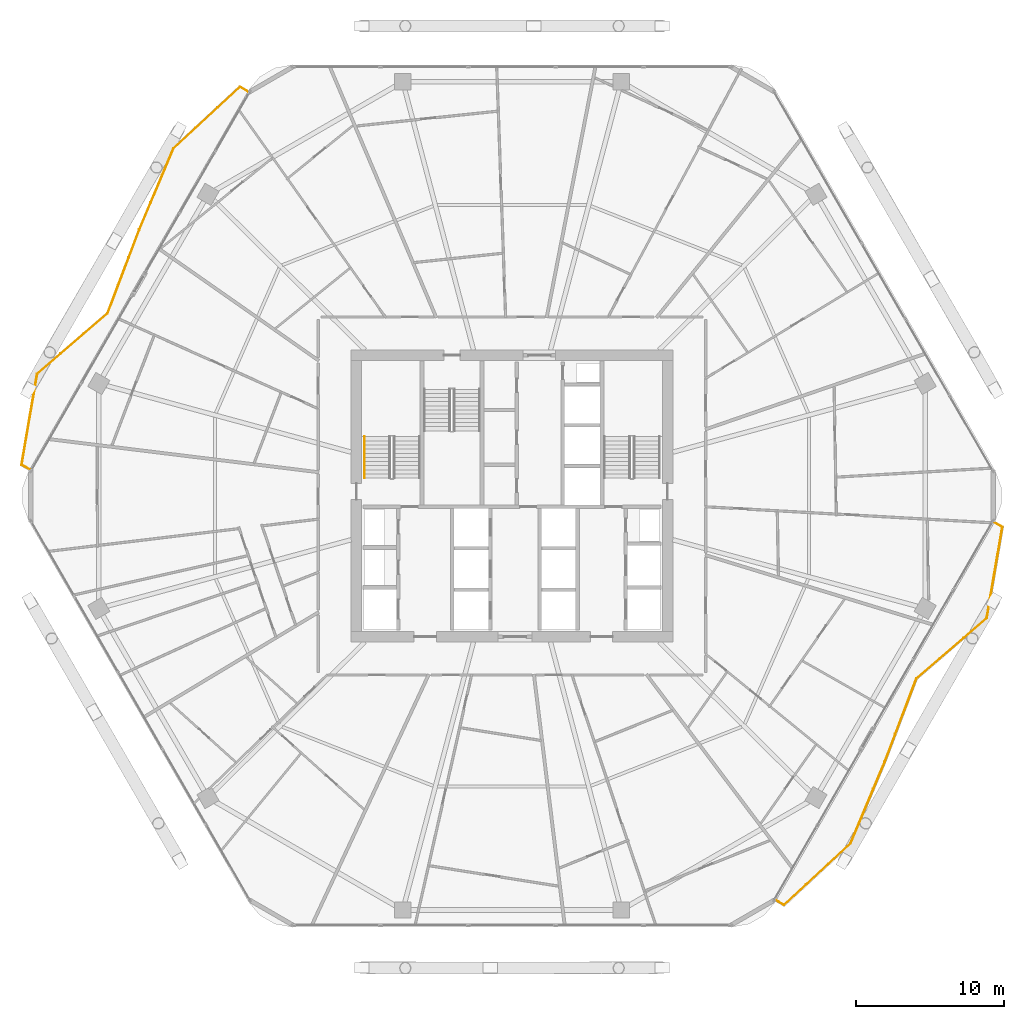
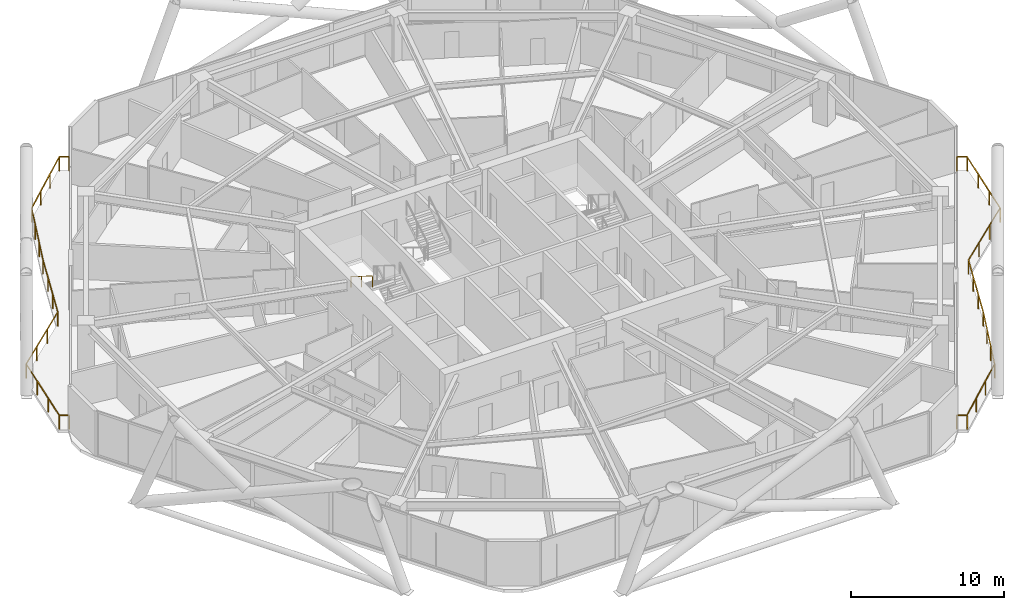
# One storey, part 35 of 36: 3 railings.
"""IFC4 building model written with IfcOpenShell, lengths in metres."""

from ifc_helpers import new_model, si_unit, direction, frame, origin, origin_2d, place, context, subcontext, project, spatial, rectangle, extrude, material, type_object, element, save


model = new_model("IFC4")

# Units and contexts
model_context = context("Model", 3, precision=1e-05, world=origin(), true_north=direction((0.0, 1.0)))
body_context = subcontext(model_context, "Body", "Model", "MODEL_VIEW")
ifc_project = project(units=[si_unit("LENGTHUNIT", "METRE"), si_unit("AREAUNIT", "SQUARE_METRE"), si_unit("VOLUMEUNIT", "CUBIC_METRE"), si_unit("PLANEANGLEUNIT", "RADIAN"), si_unit("MASSUNIT", "GRAM", prefix="KILO")], contexts=[model_context])

# Site, building, storey
site_placement = place(None, origin())
site = spatial("IfcSite", under=ifc_project, at=site_placement, CompositionType="ELEMENT")
building_placement = place(site_placement, origin())
building = spatial("IfcBuilding", under=site, at=building_placement, Name="Zuhravey Tower", CompositionType="ELEMENT")
storey_placement = place(building_placement, frame((0.0, 0.0, 107.60009765625)))
storey = spatial("IfcBuildingStorey", under=building, at=storey_placement, Name="L26", CompositionType="ELEMENT", Elevation=107.60009765625)

# Railings
ifc_material_1 = material(Name="Stainless steel 316 and laminated glass", Category="steel")
railing_type_1 = type_object("IfcRailingType", Name="Balcony & Terrace Guardrail 1150", PredefinedType="BALUSTRADE", material=ifc_material_1)
railing_1_placement = place(storey_placement, frame((3.4833984375, 33.7666015625, 0.0)))
element("IfcRailing", 1, at=railing_1_placement, inside=storey, type_object=railing_type_1, Name="L26 Face 3 Wave Balcony Guardrail GR1", PredefinedType="BALUSTRADE", context=body_context, shape_type="SweptSolid", body=[
    extrude(rectangle(XDim=0.048095703125, YDim=0.048095703125, at=origin_2d()), frame((-0.001708984375, 0.0009765625, 1.1259765625), z_axis=(-0.866015774862, 0.500016677412, 0.0), x_axis=(-0.500016677412, -0.866015774862, 0.0)), (0.0, 0.0, 1.0), 0.66650390625),
    extrude(rectangle(XDim=0.048095703125, YDim=0.048095703125, at=origin_2d()), frame((-0.580322265625, 0.337158203125, 1.1259765625), z_axis=(0.168631430654, 0.985679177317, 0.0), x_axis=(-0.985679177317, 0.168631430654, 0.0)), (0.0, 0.0, 1.0), 6.214111328125),
    extrude(rectangle(XDim=0.048095703125, YDim=0.048095703125, at=origin_2d()), frame((0.469482421875, 6.465576171875, 1.1259765625), z_axis=(0.757644223279, 0.65266777991, 0.0), x_axis=(-0.65266777991, 0.757644223279, 0.0)), (0.0, 0.0, 1.0), 6.268310546875),
    extrude(rectangle(XDim=0.048095703125, YDim=0.048095703125, at=origin_2d()), frame((5.220947265625, 10.56005859375, 1.1259765625), z_axis=(0.354801849008, 0.934941521134, 0.0), x_axis=(-0.934941521134, 0.354801849008, 0.0)), (0.0, 0.0, 1.0), 6.028564453125),
    extrude(rectangle(XDim=0.048095703125, YDim=0.048095703125, at=origin_2d()), frame((7.361328125, 16.2001953125, 1.1259765625), z_axis=(0.387725222642, 0.921775000598, 0.0), x_axis=(-0.921775000598, 0.387725222642, 0.0)), (0.0, 0.0, 1.0), 5.950927734375),
    extrude(rectangle(XDim=0.048095703125, YDim=0.048095703125, at=origin_2d()), frame((9.6708984375, 21.688720703125, 1.1259765625), z_axis=(0.733264174153, 0.679943858641, 0.0), x_axis=(-0.679943858641, 0.733264174153, 0.0)), (0.0, 0.0, 1.0), 6.108642578125),
    extrude(rectangle(XDim=0.048095703125, YDim=0.048095703125, at=origin_2d()), frame((14.1533203125, 25.842529296875, 1.1259765625), z_axis=(0.865910926182, -0.500198228624, 0.0), x_axis=(0.500198228624, 0.865910926182, 0.0)), (0.0, 0.0, 1.0), 0.662353515625),
    extrude(rectangle(XDim=0.0419921875, YDim=0.0419921875, at=origin_2d()), origin(), (0.0, 0.0, 1.0), 1.099853515625),
    extrude(rectangle(XDim=0.0419921875, YDim=0.0419921875, at=origin_2d()), frame((-0.58056640625, 0.335205078125, 0.0)), (0.0, 0.0, 1.0), 1.099853515625),
    extrude(rectangle(XDim=0.0419921875, YDim=0.0419921875, at=origin_2d()), frame((-0.23095703125, 2.378173828125, 0.0)), (0.0, 0.0, 1.0), 1.099853515625),
    extrude(rectangle(XDim=0.0419921875, YDim=0.0419921875, at=origin_2d()), frame((0.118408203125, 4.42138671875, 0.0)), (0.0, 0.0, 1.0), 1.099853515625),
    extrude(rectangle(XDim=0.0419921875, YDim=0.0419921875, at=origin_2d()), frame((0.468017578125, 6.46435546875, 0.0)), (0.0, 0.0, 1.0), 1.099853515625),
    extrude(rectangle(XDim=0.0419921875, YDim=0.0419921875, at=origin_2d()), frame((2.052001953125, 7.828857421875, 0.0)), (0.0, 0.0, 1.0), 1.099853515625),
    extrude(rectangle(XDim=0.0419921875, YDim=0.0419921875, at=origin_2d()), frame((3.63623046875, 9.193603515625, 0.0)), (0.0, 0.0, 1.0), 1.099853515625),
    extrude(rectangle(XDim=0.0419921875, YDim=0.0419921875, at=origin_2d()), frame((5.22021484375, 10.55810546875, 0.0)), (0.0, 0.0, 1.0), 1.099853515625),
    extrude(rectangle(XDim=0.0419921875, YDim=0.0419921875, at=origin_2d()), frame((5.93359375, 12.438232421875, 0.0)), (0.0, 0.0, 1.0), 1.099853515625),
    extrude(rectangle(XDim=0.0419921875, YDim=0.0419921875, at=origin_2d()), frame((6.647216796875, 14.318115234375, 0.0)), (0.0, 0.0, 1.0), 1.099853515625),
    extrude(rectangle(XDim=0.0419921875, YDim=0.0419921875, at=origin_2d()), frame((7.360595703125, 16.1982421875, 0.0)), (0.0, 0.0, 1.0), 1.099853515625),
    extrude(rectangle(XDim=0.0419921875, YDim=0.0419921875, at=origin_2d()), frame((8.130126953125, 18.02783203125, 0.0)), (0.0, 0.0, 1.0), 1.099853515625),
    extrude(rectangle(XDim=0.0419921875, YDim=0.0419921875, at=origin_2d()), frame((8.89990234375, 19.857666015625, 0.0)), (0.0, 0.0, 1.0), 1.099853515625),
    extrude(rectangle(XDim=0.0419921875, YDim=0.0419921875, at=origin_2d()), frame((9.66943359375, 21.687255859375, 0.0)), (0.0, 0.0, 1.0), 1.099853515625),
    extrude(rectangle(XDim=0.0419921875, YDim=0.0419921875, at=origin_2d()), frame((11.16357421875, 23.07275390625, 0.0)), (0.0, 0.0, 1.0), 1.099853515625),
    extrude(rectangle(XDim=0.0419921875, YDim=0.0419921875, at=origin_2d()), frame((12.657470703125, 24.4580078125, 0.0)), (0.0, 0.0, 1.0), 1.099853515625),
    extrude(rectangle(XDim=0.0419921875, YDim=0.0419921875, at=origin_2d()), frame((14.151611328125, 25.843505859375, 0.0)), (0.0, 0.0, 1.0), 1.099853515625),
    extrude(rectangle(XDim=0.0419921875, YDim=0.0419921875, at=origin_2d()), frame((14.728515625, 25.51025390625, 0.0)), (0.0, 0.0, 1.0), 1.099853515625),
])
railing_2_placement = place(storey_placement, frame((68.5166015625, 30.2333984375, 0.0)))
element("IfcRailing", 2, at=railing_2_placement, inside=storey, type_object=railing_type_1, Name="L26 Face 6 Wave Balcony Guardrail GR1", PredefinedType="BALUSTRADE", context=body_context, shape_type="SweptSolid", body=[
    extrude(rectangle(XDim=0.048095703125, YDim=0.048095703125, at=origin_2d()), frame((0.001708984375, -0.0009765625, 1.1259765625), z_axis=(0.866015774862, -0.500016677412, 0.0), x_axis=(0.500016677412, 0.866015774862, 0.0)), (0.0, 0.0, 1.0), 0.66650390625),
    extrude(rectangle(XDim=0.048095703125, YDim=0.048095703125, at=origin_2d()), frame((0.580322265625, -0.337158203125, 1.1259765625), z_axis=(-0.168631430654, -0.985679177317, 0.0), x_axis=(0.985679177317, -0.168631430654, 0.0)), (0.0, 0.0, 1.0), 6.214111328125),
    extrude(rectangle(XDim=0.048095703125, YDim=0.048095703125, at=origin_2d()), frame((-0.469482421875, -6.465576171875, 1.1259765625), z_axis=(-0.757644223279, -0.65266777991, 0.0), x_axis=(0.65266777991, -0.757644223279, 0.0)), (0.0, 0.0, 1.0), 6.268310546875),
    extrude(rectangle(XDim=0.048095703125, YDim=0.048095703125, at=origin_2d()), frame((-5.220947265625, -10.56005859375, 1.1259765625), z_axis=(-0.354801849008, -0.934941521134, 0.0), x_axis=(0.934941521134, -0.354801849008, 0.0)), (0.0, 0.0, 1.0), 6.028564453125),
    extrude(rectangle(XDim=0.048095703125, YDim=0.048095703125, at=origin_2d()), frame((-7.361328125, -16.2001953125, 1.1259765625), z_axis=(-0.387725222642, -0.921775000598, 0.0), x_axis=(0.921775000598, -0.387725222642, 0.0)), (0.0, 0.0, 1.0), 5.950927734375),
    extrude(rectangle(XDim=0.048095703125, YDim=0.048095703125, at=origin_2d()), frame((-9.6708984375, -21.688720703125, 1.1259765625), z_axis=(-0.733264174153, -0.679943858641, 0.0), x_axis=(0.679943858641, -0.733264174153, 0.0)), (0.0, 0.0, 1.0), 6.108642578125),
    extrude(rectangle(XDim=0.048095703125, YDim=0.048095703125, at=origin_2d()), frame((-14.1533203125, -25.842529296875, 1.1259765625), z_axis=(-0.865910926182, 0.500198228624, 0.0), x_axis=(-0.500198228624, -0.865910926182, 0.0)), (0.0, 0.0, 1.0), 0.662353515625),
    extrude(rectangle(XDim=0.0419921875, YDim=0.0419921875, at=origin_2d()), origin(), (0.0, 0.0, 1.0), 1.099853515625),
    extrude(rectangle(XDim=0.0419921875, YDim=0.0419921875, at=origin_2d()), frame((0.58056640625, -0.335205078125, 0.0)), (0.0, 0.0, 1.0), 1.099853515625),
    extrude(rectangle(XDim=0.0419921875, YDim=0.0419921875, at=origin_2d()), frame((0.23095703125, -2.378173828125, 0.0)), (0.0, 0.0, 1.0), 1.099853515625),
    extrude(rectangle(XDim=0.0419921875, YDim=0.0419921875, at=origin_2d()), frame((-0.118408203125, -4.42138671875, 0.0)), (0.0, 0.0, 1.0), 1.099853515625),
    extrude(rectangle(XDim=0.0419921875, YDim=0.0419921875, at=origin_2d()), frame((-0.468017578125, -6.46435546875, 0.0)), (0.0, 0.0, 1.0), 1.099853515625),
    extrude(rectangle(XDim=0.0419921875, YDim=0.0419921875, at=origin_2d()), frame((-2.052001953125, -7.828857421875, 0.0)), (0.0, 0.0, 1.0), 1.099853515625),
    extrude(rectangle(XDim=0.0419921875, YDim=0.0419921875, at=origin_2d()), frame((-3.63623046875, -9.193603515625, 0.0)), (0.0, 0.0, 1.0), 1.099853515625),
    extrude(rectangle(XDim=0.0419921875, YDim=0.0419921875, at=origin_2d()), frame((-5.22021484375, -10.55810546875, 0.0)), (0.0, 0.0, 1.0), 1.099853515625),
    extrude(rectangle(XDim=0.0419921875, YDim=0.0419921875, at=origin_2d()), frame((-5.93359375, -12.438232421875, 0.0)), (0.0, 0.0, 1.0), 1.099853515625),
    extrude(rectangle(XDim=0.0419921875, YDim=0.0419921875, at=origin_2d()), frame((-6.647216796875, -14.318115234375, 0.0)), (0.0, 0.0, 1.0), 1.099853515625),
    extrude(rectangle(XDim=0.0419921875, YDim=0.0419921875, at=origin_2d()), frame((-7.360595703125, -16.1982421875, 0.0)), (0.0, 0.0, 1.0), 1.099853515625),
    extrude(rectangle(XDim=0.0419921875, YDim=0.0419921875, at=origin_2d()), frame((-8.130126953125, -18.02783203125, 0.0)), (0.0, 0.0, 1.0), 1.099853515625),
    extrude(rectangle(XDim=0.0419921875, YDim=0.0419921875, at=origin_2d()), frame((-8.89990234375, -19.857666015625, 0.0)), (0.0, 0.0, 1.0), 1.099853515625),
    extrude(rectangle(XDim=0.0419921875, YDim=0.0419921875, at=origin_2d()), frame((-9.66943359375, -21.687255859375, 0.0)), (0.0, 0.0, 1.0), 1.099853515625),
    extrude(rectangle(XDim=0.0419921875, YDim=0.0419921875, at=origin_2d()), frame((-11.16357421875, -23.07275390625, 0.0)), (0.0, 0.0, 1.0), 1.099853515625),
    extrude(rectangle(XDim=0.0419921875, YDim=0.0419921875, at=origin_2d()), frame((-12.657470703125, -24.4580078125, 0.0)), (0.0, 0.0, 1.0), 1.099853515625),
    extrude(rectangle(XDim=0.0419921875, YDim=0.0419921875, at=origin_2d()), frame((-14.151611328125, -25.843505859375, 0.0)), (0.0, 0.0, 1.0), 1.099853515625),
    extrude(rectangle(XDim=0.0419921875, YDim=0.0419921875, at=origin_2d()), frame((-14.728515625, -25.51025390625, 0.0)), (0.0, 0.0, 1.0), 1.099853515625),
])
ifc_material_2 = material(Name="Brushed stainless steel", Category="steel")
railing_type_2 = type_object("IfcRailingType", Name="Stair Wall Handrail 900", PredefinedType="HANDRAIL", material=ifc_material_2)
railing_3_placement = place(storey_placement, frame((26.050048828125, 36.0, 2.072509765625)))
element("IfcRailing", 3, at=railing_3_placement, inside=storey, type_object=railing_type_2, Name="L26 ST1 stair handrail 2", PredefinedType="HANDRAIL", context=body_context, shape_type="SweptSolid", body=[
    extrude(rectangle(XDim=0.048095703125, YDim=0.048095703125, at=origin_2d()), frame((0.0, -0.001708984375, 0.876953125), z_axis=(0.0, -0.851089632645, 0.525020415988), x_axis=(1.0, 0.0, 0.0)), (0.0, 0.0, 1.0), 3.285888671875),
    extrude(rectangle(XDim=0.0419921875, YDim=0.0419921875, at=origin_2d()), origin(), (0.0, 0.0, 1.0), 0.849853515625),
    extrude(rectangle(XDim=0.0419921875, YDim=0.0419921875, at=origin_2d()), frame((0.0, -1.39990234375, 0.86376953125)), (0.0, 0.0, 1.0), 0.849853515625),
    extrude(rectangle(XDim=0.0419921875, YDim=0.0419921875, at=origin_2d()), frame((0.0, -2.800048828125, 1.727294921875)), (0.0, 0.0, 1.0), 0.849853515625),
])

save(model, "model.ifc")
